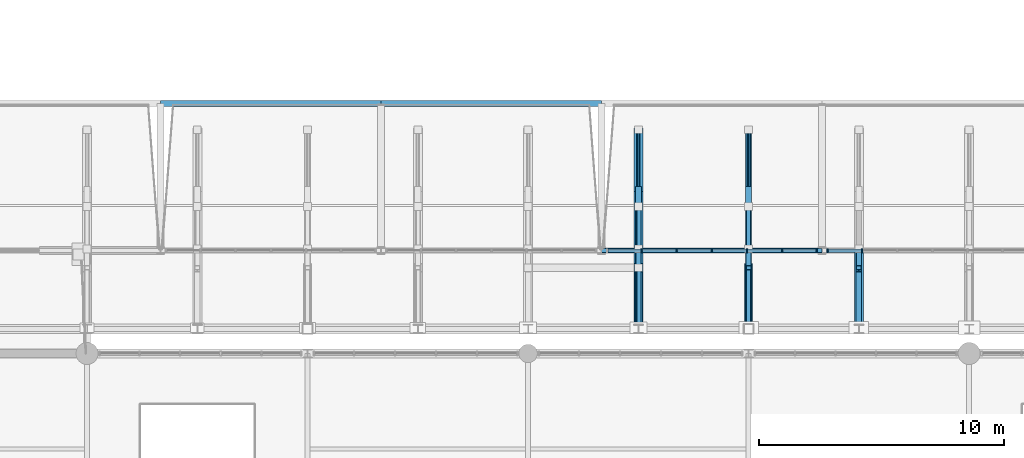
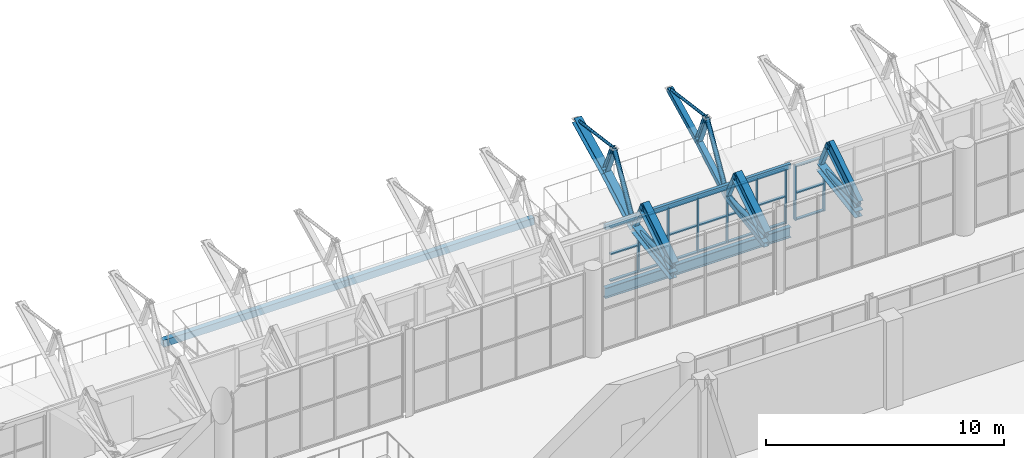
# One storey, part 63 of 134: 48 members, 7 beams, 2 elements without a shape of their own.
"""IFC4 building model written with IfcOpenShell, lengths in metres."""

from ifc_helpers import new_model, si_unit, direction, frame, origin, origin_2d, place, context, subcontext, project, spatial, rectangle, hollow_rectangle, hollow_circle, i_section, extrude, material, layer, layer_set, material_profile, profile_set, type_object, element, aggregate, save


model = new_model("IFC4")

# Units and contexts
model_context = context("Model", 3, precision=1e-05, world=origin(), true_north=direction((0.0, 1.0)))
body_context = subcontext(model_context, "Body", "Model", "MODEL_VIEW")
ifc_project = project(units=[si_unit("LENGTHUNIT", "METRE"), si_unit("AREAUNIT", "SQUARE_METRE"), si_unit("VOLUMEUNIT", "CUBIC_METRE"), si_unit("PLANEANGLEUNIT", "RADIAN"), si_unit("MASSUNIT", "GRAM", prefix="KILO")], contexts=[model_context])

# Site, building, storey
site_placement = place(None, origin())
site = spatial("IfcSite", under=ifc_project, at=site_placement, CompositionType="ELEMENT")
building_placement = place(site_placement, origin())
building = spatial("IfcBuilding", under=site, at=building_placement, Name="Cazmaro Siding Exhibition Halls", CompositionType="ELEMENT")
storey_placement = place(building_placement, frame((0.0, 0.0, 12.0)))
storey = spatial("IfcBuildingStorey", under=building, at=storey_placement, Name="L02", CompositionType="ELEMENT", Elevation=12.0)

# Beams
ifc_material_1 = material(Name="Steel ASTM A992 Grade 50", Category="steel")
ifc_material_profile_1 = material_profile(ifc_material_1, i_section(OverallWidth=0.327880859375, OverallDepth=0.626953125, WebThickness=0.01708984375, FlangeThickness=0.028076171875, at=origin_2d()), Name="W24X146")
ifc_profile_set_1 = profile_set([ifc_material_profile_1], Name="Steel ASTM A992 Grade 50")
beam_type_1 = type_object("IfcBeamType", Name="AR-01", PredefinedType="USERDEFINED", material=ifc_profile_set_1)
beam_1_placement = place(storey_placement, frame((112.5, 64.0, 2.300048828125), z_axis=(0.0, 0.843339173298, 0.537381650954), x_axis=(-1.0, 0.0, 0.0)))
element("IfcBeam", 1, at=beam_1_placement, inside=storey, type_object=beam_type_1, Name="Space frame barrel vault arched rib AR-01 BM-0895", ObjectType="ARCHED RIB", PredefinedType="USERDEFINED", context=body_context, shape_type="SweptSolid", body=[
    extrude(i_section(OverallWidth=0.327880859375, OverallDepth=0.626953125, WebThickness=0.01708984375, FlangeThickness=0.028076171875, at=origin_2d()), origin(), (0.0, 0.0, 1.0), 2.96435546875),
])
ifc_material_2 = material(Name="Steel ASTM A992 Grade 50", Category="steel")
ifc_material_profile_2 = material_profile(ifc_material_2, i_section(OverallWidth=0.324951171875, OverallDepth=0.612060546875, WebThickness=0.012939453125, FlangeThickness=0.01904296875, at=origin_2d()), Name="W24X104")
ifc_profile_set_2 = profile_set([ifc_material_profile_2], Name="Steel ASTM A992 Grade 50")
beam_type_2 = type_object("IfcBeamType", Name="AR-02", PredefinedType="USERDEFINED", material=ifc_profile_set_2)
beam_2_placement = place(storey_placement, frame((117.0, 64.0, 2.300048828125), z_axis=(0.0, 0.843339173298, 0.537381650954), x_axis=(-1.0, 0.0, 0.0)))
element("IfcBeam", 2, at=beam_2_placement, inside=storey, type_object=beam_type_2, Name="Space frame barrel vault arched rib AR-02 BM-0919", ObjectType="ARCHED RIB", PredefinedType="USERDEFINED", context=body_context, shape_type="SweptSolid", body=[
    extrude(i_section(OverallWidth=0.324951171875, OverallDepth=0.612060546875, WebThickness=0.012939453125, FlangeThickness=0.01904296875, at=origin_2d()), origin(), (0.0, 0.0, 1.0), 2.96435546875),
])
ifc_material_3 = material(Name="Steel ASTM A992 Grade 50", Category="steel")
ifc_material_profile_3 = material_profile(ifc_material_3, i_section(OverallWidth=0.22900390625, OverallDepth=0.612060546875, WebThickness=0.011962890625, FlangeThickness=0.02001953125, at=origin_2d()), Name="W24X84")
ifc_profile_set_3 = profile_set([ifc_material_profile_3], Name="Steel ASTM A992 Grade 50")
beam_type_3 = type_object("IfcBeamType", Name="AR-03", PredefinedType="USERDEFINED", material=ifc_profile_set_3)
beam_3_placement = place(storey_placement, frame((121.5, 64.0, 2.300048828125), z_axis=(0.0, 0.843339173298, 0.537381650954), x_axis=(-1.0, 0.0, 0.0)))
element("IfcBeam", 3, at=beam_3_placement, inside=storey, type_object=beam_type_3, Name="Space frame barrel vault arched rib AR-03 BM-0943", ObjectType="ARCHED RIB", PredefinedType="USERDEFINED", context=body_context, shape_type="SweptSolid", body=[
    extrude(i_section(OverallWidth=0.22900390625, OverallDepth=0.612060546875, WebThickness=0.011962890625, FlangeThickness=0.02001953125, at=origin_2d()), origin(), (0.0, 0.0, 1.0), 2.96435546875),
])
ifc_material_4 = material(Name="Steel ASTM A992 Grade 50", Category="steel")
ifc_material_profile_4 = material_profile(ifc_material_4, i_section(OverallWidth=0.2099609375, OverallDepth=0.535888671875, WebThickness=0.010986328125, FlangeThickness=0.01708984375, at=origin_2d()), Name="W21X68")
ifc_profile_set_4 = profile_set([ifc_material_profile_4], Name="Steel ASTM A992 Grade 50")
beam_type_4 = type_object("IfcBeamType", Name="B-02", PredefinedType="BEAM", material=ifc_profile_set_4)
beam_4_placement = place(storey_placement, frame((111.0, 67.199951171875, -0.488037109375), z_axis=(1.0, 0.0, 0.0), x_axis=(0.0, 1.0, 0.0)))
element("IfcBeam", 4, at=beam_4_placement, inside=storey, type_object=beam_type_4, Name="Beam B-02 BM-0463", PredefinedType="BEAM", context=body_context, shape_type="SweptSolid", body=[
    extrude(i_section(OverallWidth=0.2099609375, OverallDepth=0.535888671875, WebThickness=0.010986328125, FlangeThickness=0.01708984375, at=origin_2d()), origin(), (0.0, 0.0, 1.0), 9.0),
])
ifc_material_5 = material(Name="Steel ASTM A500 Grade C", Category="steel")
ifc_material_profile_5 = material_profile(ifc_material_5, hollow_rectangle(XDim=0.25390625, YDim=0.35595703125, WallThickness=0.014892578125, at=origin_2d()), Name="HSS14X10X5/8")
ifc_profile_set_5 = profile_set([ifc_material_profile_5], Name="Steel ASTM A500 Grade C")
beam_type_5 = type_object("IfcBeamType", Name="B-06", PredefinedType="BEAM", material=ifc_profile_set_5)
for number, where, z_axis, x_axis, name in (
    (5, (93.0, 73.199951171875, -0.39794921875), (1.0, 0.0, 0.0), (0.0, 1.0, 0.0), "Beam B-06 BM-0460"),
    (6, (102.0, 73.199951171875, -0.39794921875), (1.0, 0.0, 0.0), (0.0, 1.0, 0.0), "Beam B-06 BM-0462"),
):
    element("IfcBeam", number, at=place(storey_placement, frame(where, z_axis=z_axis, x_axis=x_axis)), inside=storey, type_object=beam_type_5, Name=name, PredefinedType="BEAM", context=body_context, shape_type="SweptSolid", body=[
        extrude(hollow_rectangle(XDim=0.25390625, YDim=0.35595703125, WallThickness=0.014892578125, at=origin_2d()), origin(), (0.0, 0.0, 1.0), 9.0),
    ])

# Curtain wall, members
ifc_material_6 = material(Name="Anodized Bronze Aluminum and Solar-Control Low-E Glazing", Category="aluminium")
ifc_layer = layer(ifc_material_6, 0.159912109375)
ifc_layer_set = layer_set([ifc_layer], Name="Anodized Bronze Aluminum and Solar-Control Low-E Glazing")
curtain_wall_type = type_object("IfcCurtainWallType", Name="CWS-04", PredefinedType="USERDEFINED", material=ifc_layer_set)
curtain_wall_1_placement = place(storey_placement, origin())
curtain_wall_1 = element("IfcCurtainWall", 7, at=curtain_wall_1_placement, inside=storey, type_object=curtain_wall_type, Name="Clerestory Curtain Wall CWS-04 CW-029", ObjectType="CLERESTORY CURTAIN WALL", PredefinedType="USERDEFINED")
ifc_material_7 = material(Name="Anodized Bronze Extruded Aluminum", Category="aluminium")
ifc_material_profile_6 = material_profile(ifc_material_7, rectangle(XDim=0.159912109375, YDim=0.06005859375, at=origin_2d()), Name="CWM-04")
ifc_profile_set_6 = profile_set([ifc_material_profile_6], Name="Anodized Bronze Extruded Aluminum")
member_type_1 = type_object("IfcMemberType", Name="CWM-04", PredefinedType="MULLION", material=ifc_profile_set_6)
member_1_placement = place(storey_placement, frame((112.63134765625, 67.199951171875, 0.0), z_axis=(0.0, 0.0, 1.0), x_axis=(0.0, 1.0, 0.0)))
member_1 = element("IfcMember", 8, at=member_1_placement, type_object=member_type_1, Name="CWS-04 mullion 2", PredefinedType="MULLION", context=body_context, shape_type="SweptSolid", body=[
    extrude(rectangle(XDim=0.159912109375, YDim=0.06005859375, at=origin_2d()), origin(), (0.0, 0.0, 1.0), 2.800048828125),
])
member_2_placement = place(storey_placement, frame((114.065673828125, 67.199951171875, 0.0), z_axis=(0.0, 0.0, 1.0), x_axis=(0.0, 1.0, 0.0)))
member_2 = element("IfcMember", 9, at=member_2_placement, type_object=member_type_1, Name="CWS-04 mullion 3", PredefinedType="MULLION", context=body_context, shape_type="SweptSolid", body=[
    extrude(rectangle(XDim=0.159912109375, YDim=0.06005859375, at=origin_2d()), origin(), (0.0, 0.0, 1.0), 2.800048828125),
])
member_3_placement = place(storey_placement, frame((115.5, 67.199951171875, 0.0), z_axis=(0.0, 0.0, 1.0), x_axis=(0.0, 1.0, 0.0)))
member_3 = element("IfcMember", 10, at=member_3_placement, type_object=member_type_1, Name="CWS-04 mullion 4", PredefinedType="MULLION", context=body_context, shape_type="SweptSolid", body=[
    extrude(rectangle(XDim=0.159912109375, YDim=0.06005859375, at=origin_2d()), origin(), (0.0, 0.0, 1.0), 2.800048828125),
])
member_4_placement = place(storey_placement, frame((116.934326171875, 67.199951171875, 0.0), z_axis=(0.0, 0.0, 1.0), x_axis=(0.0, 1.0, 0.0)))
member_4 = element("IfcMember", 11, at=member_4_placement, type_object=member_type_1, Name="CWS-04 mullion 5", PredefinedType="MULLION", context=body_context, shape_type="SweptSolid", body=[
    extrude(rectangle(XDim=0.159912109375, YDim=0.06005859375, at=origin_2d()), origin(), (0.0, 0.0, 1.0), 2.800048828125),
])
member_5_placement = place(storey_placement, frame((118.36865234375, 67.199951171875, 0.0), z_axis=(0.0, 0.0, 1.0), x_axis=(0.0, 1.0, 0.0)))
member_5 = element("IfcMember", 12, at=member_5_placement, type_object=member_type_1, Name="CWS-04 mullion 6", PredefinedType="MULLION", context=body_context, shape_type="SweptSolid", body=[
    extrude(rectangle(XDim=0.159912109375, YDim=0.06005859375, at=origin_2d()), origin(), (0.0, 0.0, 1.0), 2.800048828125),
])
member_6_placement = place(storey_placement, frame((119.77294921875, 67.199951171875, 0.0), z_axis=(0.0, 0.0, 1.0), x_axis=(0.0, 1.0, 0.0)))
member_6 = element("IfcMember", 13, at=member_6_placement, type_object=member_type_1, Name="CWS-04 mullion 7", PredefinedType="MULLION", context=body_context, shape_type="SweptSolid", body=[
    extrude(rectangle(XDim=0.159912109375, YDim=0.06005859375, at=origin_2d()), origin(), (0.0, 0.0, 1.0), 2.800048828125),
])

curtain_wall_2_placement = place(storey_placement, origin())
curtain_wall_2 = element("IfcCurtainWall", 14, at=curtain_wall_2_placement, inside=storey, type_object=curtain_wall_type, Name="Clerestory Curtain Wall CWS-04 CW-032", ObjectType="CLERESTORY CURTAIN WALL", PredefinedType="USERDEFINED")
member_7_placement = place(storey_placement, frame((120.22705078125, 67.199951171875, 0.0), z_axis=(0.0, 0.0, 1.0), x_axis=(0.0, 1.0, 0.0)))
member_7 = element("IfcMember", 15, at=member_7_placement, type_object=member_type_1, Name="CWS-04 mullion 1", PredefinedType="MULLION", context=body_context, shape_type="SweptSolid", body=[
    extrude(rectangle(XDim=0.159912109375, YDim=0.06005859375, at=origin_2d()), origin(), (0.0, 0.0, 1.0), 2.800048828125),
])
member_8_placement = place(storey_placement, frame((121.63134765625, 67.199951171875, 0.0), z_axis=(0.0, 0.0, 1.0), x_axis=(0.0, 1.0, 0.0)))
member_8 = element("IfcMember", 16, at=member_8_placement, type_object=member_type_1, Name="CWS-04 mullion 2", PredefinedType="MULLION", context=body_context, shape_type="SweptSolid", body=[
    extrude(rectangle(XDim=0.159912109375, YDim=0.06005859375, at=origin_2d()), origin(), (0.0, 0.0, 1.0), 2.800048828125),
])

# Member
ifc_material_8 = material(Name="Anodized Bronze Extruded Aluminum", Category="aluminium")
ifc_material_profile_7 = material_profile(ifc_material_8, rectangle(XDim=0.139892578125, YDim=0.06005859375, at=origin_2d()), Name="CWT-04")
ifc_profile_set_7 = profile_set([ifc_material_profile_7], Name="Anodized Bronze Extruded Aluminum")
member_type_2 = type_object("IfcMemberType", Name="CWT-04", PredefinedType="MULLION", material=ifc_profile_set_7)
member_9_placement = place(storey_placement, frame((111.257080078125, 67.199951171875, 0.030029296875), z_axis=(1.0, 0.0, 0.0), x_axis=(0.0, 1.0, 0.0)))
member_9 = element("IfcMember", 17, at=member_9_placement, type_object=member_type_2, Name="CWS-04 transom 1.1", ObjectType="TRANSOM", PredefinedType="USERDEFINED", context=body_context, shape_type="SweptSolid", body=[
    extrude(rectangle(XDim=0.139892578125, YDim=0.06005859375, at=origin_2d()), origin(), (0.0, 0.0, 1.0), 1.34423828125),
])

member_10_placement = place(storey_placement, frame((111.257080078125, 67.199951171875, 1.39990234375), z_axis=(1.0, 0.0, 0.0), x_axis=(0.0, 1.0, 0.0)))
member_10 = element("IfcMember", 18, at=member_10_placement, type_object=member_type_2, Name="CWS-04 transom 1.2", ObjectType="TRANSOM", PredefinedType="USERDEFINED", context=body_context, shape_type="SweptSolid", body=[
    extrude(rectangle(XDim=0.139892578125, YDim=0.06005859375, at=origin_2d()), origin(), (0.0, 0.0, 1.0), 1.34423828125),
])

member_11_placement = place(storey_placement, frame((111.257080078125, 67.199951171875, 2.77001953125), z_axis=(1.0, 0.0, 0.0), x_axis=(0.0, 1.0, 0.0)))
member_11 = element("IfcMember", 19, at=member_11_placement, type_object=member_type_2, Name="CWS-04 transom 1.3", ObjectType="TRANSOM", PredefinedType="USERDEFINED", context=body_context, shape_type="SweptSolid", body=[
    extrude(rectangle(XDim=0.139892578125, YDim=0.06005859375, at=origin_2d()), origin(), (0.0, 0.0, 1.0), 1.34423828125),
])

member_12_placement = place(storey_placement, frame((112.661376953125, 67.199951171875, 0.030029296875), z_axis=(1.0, 0.0, 0.0), x_axis=(0.0, 1.0, 0.0)))
member_12 = element("IfcMember", 20, at=member_12_placement, type_object=member_type_2, Name="CWS-04 transom 2.1", ObjectType="TRANSOM", PredefinedType="USERDEFINED", context=body_context, shape_type="SweptSolid", body=[
    extrude(rectangle(XDim=0.139892578125, YDim=0.06005859375, at=origin_2d()), origin(), (0.0, 0.0, 1.0), 1.374267578125),
])

member_13_placement = place(storey_placement, frame((112.661376953125, 67.199951171875, 1.39990234375), z_axis=(1.0, 0.0, 0.0), x_axis=(0.0, 1.0, 0.0)))
member_13 = element("IfcMember", 21, at=member_13_placement, type_object=member_type_2, Name="CWS-04 transom 2.2", ObjectType="TRANSOM", PredefinedType="USERDEFINED", context=body_context, shape_type="SweptSolid", body=[
    extrude(rectangle(XDim=0.139892578125, YDim=0.06005859375, at=origin_2d()), origin(), (0.0, 0.0, 1.0), 1.374267578125),
])

member_14_placement = place(storey_placement, frame((112.661376953125, 67.199951171875, 2.77001953125), z_axis=(1.0, 0.0, 0.0), x_axis=(0.0, 1.0, 0.0)))
member_14 = element("IfcMember", 22, at=member_14_placement, type_object=member_type_2, Name="CWS-04 transom 2.3", ObjectType="TRANSOM", PredefinedType="USERDEFINED", context=body_context, shape_type="SweptSolid", body=[
    extrude(rectangle(XDim=0.139892578125, YDim=0.06005859375, at=origin_2d()), origin(), (0.0, 0.0, 1.0), 1.374267578125),
])

member_15_placement = place(storey_placement, frame((114.095703125, 67.199951171875, 0.030029296875), z_axis=(1.0, 0.0, 0.0), x_axis=(0.0, 1.0, 0.0)))
member_15 = element("IfcMember", 23, at=member_15_placement, type_object=member_type_2, Name="CWS-04 transom 3.1", ObjectType="TRANSOM", PredefinedType="USERDEFINED", context=body_context, shape_type="SweptSolid", body=[
    extrude(rectangle(XDim=0.139892578125, YDim=0.06005859375, at=origin_2d()), origin(), (0.0, 0.0, 1.0), 1.374267578125),
])

member_16_placement = place(storey_placement, frame((114.095703125, 67.199951171875, 1.39990234375), z_axis=(1.0, 0.0, 0.0), x_axis=(0.0, 1.0, 0.0)))
member_16 = element("IfcMember", 24, at=member_16_placement, type_object=member_type_2, Name="CWS-04 transom 3.2", ObjectType="TRANSOM", PredefinedType="USERDEFINED", context=body_context, shape_type="SweptSolid", body=[
    extrude(rectangle(XDim=0.139892578125, YDim=0.06005859375, at=origin_2d()), origin(), (0.0, 0.0, 1.0), 1.374267578125),
])

member_17_placement = place(storey_placement, frame((114.095703125, 67.199951171875, 2.77001953125), z_axis=(1.0, 0.0, 0.0), x_axis=(0.0, 1.0, 0.0)))
member_17 = element("IfcMember", 25, at=member_17_placement, type_object=member_type_2, Name="CWS-04 transom 3.3", ObjectType="TRANSOM", PredefinedType="USERDEFINED", context=body_context, shape_type="SweptSolid", body=[
    extrude(rectangle(XDim=0.139892578125, YDim=0.06005859375, at=origin_2d()), origin(), (0.0, 0.0, 1.0), 1.374267578125),
])

member_18_placement = place(storey_placement, frame((115.530029296875, 67.199951171875, 0.030029296875), z_axis=(1.0, 0.0, 0.0), x_axis=(0.0, 1.0, 0.0)))
member_18 = element("IfcMember", 26, at=member_18_placement, type_object=member_type_2, Name="CWS-04 transom 4.1", ObjectType="TRANSOM", PredefinedType="USERDEFINED", context=body_context, shape_type="SweptSolid", body=[
    extrude(rectangle(XDim=0.139892578125, YDim=0.06005859375, at=origin_2d()), origin(), (0.0, 0.0, 1.0), 1.374267578125),
])

member_19_placement = place(storey_placement, frame((115.530029296875, 67.199951171875, 1.39990234375), z_axis=(1.0, 0.0, 0.0), x_axis=(0.0, 1.0, 0.0)))
member_19 = element("IfcMember", 27, at=member_19_placement, type_object=member_type_2, Name="CWS-04 transom 4.2", ObjectType="TRANSOM", PredefinedType="USERDEFINED", context=body_context, shape_type="SweptSolid", body=[
    extrude(rectangle(XDim=0.139892578125, YDim=0.06005859375, at=origin_2d()), origin(), (0.0, 0.0, 1.0), 1.374267578125),
])

member_20_placement = place(storey_placement, frame((115.530029296875, 67.199951171875, 2.77001953125), z_axis=(1.0, 0.0, 0.0), x_axis=(0.0, 1.0, 0.0)))
member_20 = element("IfcMember", 28, at=member_20_placement, type_object=member_type_2, Name="CWS-04 transom 4.3", ObjectType="TRANSOM", PredefinedType="USERDEFINED", context=body_context, shape_type="SweptSolid", body=[
    extrude(rectangle(XDim=0.139892578125, YDim=0.06005859375, at=origin_2d()), origin(), (0.0, 0.0, 1.0), 1.374267578125),
])

member_21_placement = place(storey_placement, frame((116.96435546875, 67.199951171875, 0.030029296875), z_axis=(1.0, 0.0, 0.0), x_axis=(0.0, 1.0, 0.0)))
member_21 = element("IfcMember", 29, at=member_21_placement, type_object=member_type_2, Name="CWS-04 transom 5.1", ObjectType="TRANSOM", PredefinedType="USERDEFINED", context=body_context, shape_type="SweptSolid", body=[
    extrude(rectangle(XDim=0.139892578125, YDim=0.06005859375, at=origin_2d()), origin(), (0.0, 0.0, 1.0), 1.374267578125),
])

member_22_placement = place(storey_placement, frame((116.96435546875, 67.199951171875, 1.39990234375), z_axis=(1.0, 0.0, 0.0), x_axis=(0.0, 1.0, 0.0)))
member_22 = element("IfcMember", 30, at=member_22_placement, type_object=member_type_2, Name="CWS-04 transom 5.2", ObjectType="TRANSOM", PredefinedType="USERDEFINED", context=body_context, shape_type="SweptSolid", body=[
    extrude(rectangle(XDim=0.139892578125, YDim=0.06005859375, at=origin_2d()), origin(), (0.0, 0.0, 1.0), 1.374267578125),
])

member_23_placement = place(storey_placement, frame((116.96435546875, 67.199951171875, 2.77001953125), z_axis=(1.0, 0.0, 0.0), x_axis=(0.0, 1.0, 0.0)))
member_23 = element("IfcMember", 31, at=member_23_placement, type_object=member_type_2, Name="CWS-04 transom 5.3", ObjectType="TRANSOM", PredefinedType="USERDEFINED", context=body_context, shape_type="SweptSolid", body=[
    extrude(rectangle(XDim=0.139892578125, YDim=0.06005859375, at=origin_2d()), origin(), (0.0, 0.0, 1.0), 1.374267578125),
])

member_24_placement = place(storey_placement, frame((118.398681640625, 67.199951171875, 0.030029296875), z_axis=(1.0, 0.0, 0.0), x_axis=(0.0, 1.0, 0.0)))
member_24 = element("IfcMember", 32, at=member_24_placement, type_object=member_type_2, Name="CWS-04 transom 6.1", ObjectType="TRANSOM", PredefinedType="USERDEFINED", context=body_context, shape_type="SweptSolid", body=[
    extrude(rectangle(XDim=0.139892578125, YDim=0.06005859375, at=origin_2d()), origin(), (0.0, 0.0, 1.0), 1.34423828125),
])

member_25_placement = place(storey_placement, frame((118.398681640625, 67.199951171875, 1.39990234375), z_axis=(1.0, 0.0, 0.0), x_axis=(0.0, 1.0, 0.0)))
member_25 = element("IfcMember", 33, at=member_25_placement, type_object=member_type_2, Name="CWS-04 transom 6.2", ObjectType="TRANSOM", PredefinedType="USERDEFINED", context=body_context, shape_type="SweptSolid", body=[
    extrude(rectangle(XDim=0.139892578125, YDim=0.06005859375, at=origin_2d()), origin(), (0.0, 0.0, 1.0), 1.34423828125),
])

member_26_placement = place(storey_placement, frame((118.398681640625, 67.199951171875, 2.77001953125), z_axis=(1.0, 0.0, 0.0), x_axis=(0.0, 1.0, 0.0)))
member_26 = element("IfcMember", 34, at=member_26_placement, type_object=member_type_2, Name="CWS-04 transom 6.3", ObjectType="TRANSOM", PredefinedType="USERDEFINED", context=body_context, shape_type="SweptSolid", body=[
    extrude(rectangle(XDim=0.139892578125, YDim=0.06005859375, at=origin_2d()), origin(), (0.0, 0.0, 1.0), 1.34423828125),
])

aggregate(curtain_wall_1, [member_1, member_2, member_3, member_4, member_5, member_6, member_9, member_10, member_11, member_12, member_13, member_14, member_15, member_16, member_17, member_18, member_19, member_20, member_21, member_22, member_23, member_24, member_25, member_26])

member_27_placement = place(storey_placement, frame((120.257080078125, 67.199951171875, 0.030029296875), z_axis=(1.0, 0.0, 0.0), x_axis=(0.0, 1.0, 0.0)))
member_27 = element("IfcMember", 35, at=member_27_placement, type_object=member_type_2, Name="CWS-04 transom 1.1", ObjectType="TRANSOM", PredefinedType="USERDEFINED", context=body_context, shape_type="SweptSolid", body=[
    extrude(rectangle(XDim=0.139892578125, YDim=0.06005859375, at=origin_2d()), origin(), (0.0, 0.0, 1.0), 1.34423828125),
])

member_28_placement = place(storey_placement, frame((120.257080078125, 67.199951171875, 1.39990234375), z_axis=(1.0, 0.0, 0.0), x_axis=(0.0, 1.0, 0.0)))
member_28 = element("IfcMember", 36, at=member_28_placement, type_object=member_type_2, Name="CWS-04 transom 1.2", ObjectType="TRANSOM", PredefinedType="USERDEFINED", context=body_context, shape_type="SweptSolid", body=[
    extrude(rectangle(XDim=0.139892578125, YDim=0.06005859375, at=origin_2d()), origin(), (0.0, 0.0, 1.0), 1.34423828125),
])

member_29_placement = place(storey_placement, frame((120.257080078125, 67.199951171875, 2.77001953125), z_axis=(1.0, 0.0, 0.0), x_axis=(0.0, 1.0, 0.0)))
member_29 = element("IfcMember", 37, at=member_29_placement, type_object=member_type_2, Name="CWS-04 transom 1.3", ObjectType="TRANSOM", PredefinedType="USERDEFINED", context=body_context, shape_type="SweptSolid", body=[
    extrude(rectangle(XDim=0.139892578125, YDim=0.06005859375, at=origin_2d()), origin(), (0.0, 0.0, 1.0), 1.34423828125),
])

aggregate(curtain_wall_2, [member_7, member_8, member_27, member_28, member_29])

# Beam
ifc_material_9 = material(Name="Steel ASTM A500 Grade C", Category="steel")
ifc_material_profile_8 = material_profile(ifc_material_9, hollow_rectangle(XDim=0.152099609375, YDim=0.25390625, WallThickness=0.011962890625, at=origin_2d()), Name="HSS10X6X1/2")
ifc_profile_set_8 = profile_set([ifc_material_profile_8], Name="Steel ASTM A500 Grade C")
beam_type_6 = type_object("IfcBeamType", Name="SP-02", PredefinedType="SPANDREL", material=ifc_profile_set_8)
beam_5_placement = place(storey_placement, frame((111.0, 67.199951171875, 2.873046875), z_axis=(1.0, 0.0, 0.0), x_axis=(0.0, 1.0, 0.0)))
element("IfcBeam", 38, at=beam_5_placement, inside=storey, type_object=beam_type_6, Name="Beam SP-02 BM-0243", PredefinedType="SPANDREL", context=body_context, shape_type="SweptSolid", body=[
    extrude(hollow_rectangle(XDim=0.152099609375, YDim=0.25390625, WallThickness=0.011962890625, at=origin_2d()), origin(), (0.0, 0.0, 1.0), 9.0),
])

# Members
ifc_material_10 = material(Name="Steel ASTM A500 Grade C", Category="steel")
ifc_material_profile_9 = material_profile(ifc_material_10, hollow_rectangle(XDim=0.25390625, YDim=0.25390625, WallThickness=0.014892578125, at=origin_2d()), Name="HSS10X10X5/8")
ifc_profile_set_9 = profile_set([ifc_material_profile_9], Name="Steel ASTM A500 Grade C")
member_type_3 = type_object("IfcMemberType", Name="TC-01", PredefinedType="CHORD", material=ifc_profile_set_9)
member_30_placement = place(storey_placement, frame((117.0, 64.0, 1.800048828125), z_axis=(0.0, 0.988252010809, 0.152833121839), x_axis=(-1.0, 0.0, 0.0)))
element("IfcMember", 39, at=member_30_placement, inside=storey, type_object=member_type_3, Name="Space frame barrel vault bottom chord TC-01 MEM-1089", PredefinedType="CHORD", context=body_context, shape_type="SweptSolid", body=[
    extrude(hollow_rectangle(XDim=0.25390625, YDim=0.25390625, WallThickness=0.014892578125, at=origin_2d()), origin(), (0.0, 0.0, 1.0), 3.309814453125),
])
member_31_placement = place(storey_placement, frame((117.0, 67.27099609375, 2.305908203125), z_axis=(0.0, 0.871222319466, 0.490888653428), x_axis=(-1.0, 0.0, 0.0)))
element("IfcMember", 40, at=member_31_placement, inside=storey, type_object=member_type_3, Name="Space frame barrel vault bottom chord TC-01 MEM-1091", PredefinedType="CHORD", context=body_context, shape_type="SweptSolid", body=[
    extrude(hollow_rectangle(XDim=0.25390625, YDim=0.25390625, WallThickness=0.014892578125, at=origin_2d()), origin(), (0.0, 0.0, 1.0), 2.7890625),
])
member_32_placement = place(storey_placement, frame((117.0, 69.700927734375, 3.675048828125), z_axis=(0.0, 0.896077457924, 0.443897724033), x_axis=(-1.0, 0.0, 0.0)))
element("IfcMember", 41, at=member_32_placement, inside=storey, type_object=member_type_3, Name="Space frame barrel vault bottom chord TC-01 MEM-1093", PredefinedType="CHORD", context=body_context, shape_type="SweptSolid", body=[
    extrude(hollow_rectangle(XDim=0.25390625, YDim=0.25390625, WallThickness=0.014892578125, at=origin_2d()), origin(), (0.0, 0.0, 1.0), 2.7119140625),
])
ifc_material_11 = material(Name="Steel ASTM A992 Grade 50", Category="steel")
ifc_material_profile_10 = material_profile(ifc_material_11, i_section(OverallWidth=0.37109375, OverallDepth=0.364013671875, WebThickness=0.012939453125, FlangeThickness=0.02197265625, at=origin_2d()), Name="W14X109")
ifc_profile_set_10 = profile_set([ifc_material_profile_10], Name="Steel ASTM A992 Grade 50")
member_type_4 = type_object("IfcMemberType", Name="TC-06", PredefinedType="CHORD", material=ifc_profile_set_10)
member_33_placement = place(storey_placement, frame((112.5, 64.0, 1.800048828125), z_axis=(0.0, 0.988252010809, 0.152833121839), x_axis=(-1.0, 0.0, 0.0)))
element("IfcMember", 42, at=member_33_placement, inside=storey, type_object=member_type_4, Name="Space frame barrel vault bottom chord TC-06 MEM-1018", PredefinedType="CHORD", context=body_context, shape_type="SweptSolid", body=[
    extrude(i_section(OverallWidth=0.37109375, OverallDepth=0.364013671875, WebThickness=0.012939453125, FlangeThickness=0.02197265625, at=origin_2d()), origin(), (0.0, 0.0, 1.0), 3.309814453125),
])
member_34_placement = place(storey_placement, frame((112.5, 67.27099609375, 2.305908203125), z_axis=(0.0, 0.871222319466, 0.490888653428), x_axis=(-1.0, 0.0, 0.0)))
element("IfcMember", 43, at=member_34_placement, inside=storey, type_object=member_type_4, Name="Space frame barrel vault bottom chord TC-06 MEM-1020", PredefinedType="CHORD", context=body_context, shape_type="SweptSolid", body=[
    extrude(i_section(OverallWidth=0.37109375, OverallDepth=0.364013671875, WebThickness=0.012939453125, FlangeThickness=0.02197265625, at=origin_2d()), origin(), (0.0, 0.0, 1.0), 2.7890625),
])
member_35_placement = place(storey_placement, frame((112.5, 69.700927734375, 3.675048828125), z_axis=(0.0, 0.896077457924, 0.443897724033), x_axis=(-1.0, 0.0, 0.0)))
element("IfcMember", 44, at=member_35_placement, inside=storey, type_object=member_type_4, Name="Space frame barrel vault bottom chord TC-06 MEM-1022", PredefinedType="CHORD", context=body_context, shape_type="SweptSolid", body=[
    extrude(i_section(OverallWidth=0.37109375, OverallDepth=0.364013671875, WebThickness=0.012939453125, FlangeThickness=0.02197265625, at=origin_2d()), origin(), (0.0, 0.0, 1.0), 2.7119140625),
])
member_36_placement = place(storey_placement, frame((121.5, 64.0, 1.800048828125), z_axis=(0.0, 0.988252010809, 0.152833121839), x_axis=(-1.0, 0.0, 0.0)))
element("IfcMember", 45, at=member_36_placement, inside=storey, type_object=member_type_4, Name="Space frame barrel vault bottom chord TC-06 MEM-1160", PredefinedType="CHORD", context=body_context, shape_type="SweptSolid", body=[
    extrude(i_section(OverallWidth=0.37109375, OverallDepth=0.364013671875, WebThickness=0.012939453125, FlangeThickness=0.02197265625, at=origin_2d()), origin(), (0.0, 0.0, 1.0), 3.309814453125),
])
ifc_material_12 = material(Name="Steel ASTM A500 Grade C", Category="steel")
ifc_material_profile_11 = material_profile(ifc_material_12, hollow_rectangle(XDim=0.202880859375, YDim=0.202880859375, WallThickness=0.011962890625, at=origin_2d()), Name="HSS8X8X1/2")
ifc_profile_set_11 = profile_set([ifc_material_profile_11], Name="Steel ASTM A500 Grade C")
member_type_5 = type_object("IfcMemberType", Name="TP-01", PredefinedType="POST", material=ifc_profile_set_11)
for number, where, z_axis, x_axis, name in (
    (46, (112.5, 67.27099609375, 2.305908203125), (0.0, -0.436945543824, 0.89948796086), (1.0, 0.0, 0.0), "Space frame barrel vault post TP-01 MEM-1066"),
    (47, (117.0, 67.27099609375, 2.305908203125), (0.0, -0.436945543824, 0.89948796086), (1.0, 0.0, 0.0), "Space frame barrel vault post TP-01 MEM-1137"),
    (48, (121.5, 67.27099609375, 2.305908203125), (0.0, -0.436945543824, 0.89948796086), (1.0, 0.0, 0.0), "Space frame barrel vault post TP-01 MEM-1208"),
):
    element("IfcMember", number, at=place(storey_placement, frame(where, z_axis=z_axis, x_axis=x_axis)), inside=storey, type_object=member_type_5, Name=name, PredefinedType="POST", context=body_context, shape_type="SweptSolid", body=[
        extrude(hollow_rectangle(XDim=0.202880859375, YDim=0.202880859375, WallThickness=0.011962890625, at=origin_2d()), origin(), (0.0, 0.0, 1.0), 1.764404296875),
    ])
ifc_material_13 = material(Name="Steel ASTM A992 Grade 50", Category="steel")
ifc_material_profile_12 = material_profile(ifc_material_13, i_section(OverallWidth=0.25390625, OverallDepth=0.25390625, WebThickness=0.009033203125, FlangeThickness=0.013916015625, at=origin_2d()), Name="W10X49")
ifc_profile_set_12 = profile_set([ifc_material_profile_12], Name="Steel ASTM A992 Grade 50")
member_type_6 = type_object("IfcMemberType", Name="TP-04", PredefinedType="POST", material=ifc_profile_set_12)
for number, where, z_axis, x_axis, name in (
    (49, (112.5, 69.700927734375, 3.675048828125), (0.0, -0.395865434272, 0.918308530913), (1.0, 0.0, 0.0), "Space frame barrel vault post TP-04 MEM-1067"),
    (50, (117.0, 69.700927734375, 3.675048828125), (0.0, -0.395865434272, 0.918308530913), (1.0, 0.0, 0.0), "Space frame barrel vault post TP-04 MEM-1138"),
):
    element("IfcMember", number, at=place(storey_placement, frame(where, z_axis=z_axis, x_axis=x_axis)), inside=storey, type_object=member_type_6, Name=name, PredefinedType="POST", context=body_context, shape_type="SweptSolid", body=[
        extrude(i_section(OverallWidth=0.25390625, OverallDepth=0.25390625, WebThickness=0.009033203125, FlangeThickness=0.013916015625, at=origin_2d()), origin(), (0.0, 0.0, 1.0), 1.7705078125),
    ])
ifc_material_14 = material(Name="Steel ASTM A500 Grade C", Category="steel")
ifc_material_profile_13 = material_profile(ifc_material_14, hollow_circle(Radius=0.109619140625, WallThickness=0.012939453125, at=origin_2d()), Name="PIPE8XS")
ifc_profile_set_13 = profile_set([ifc_material_profile_13], Name="Steel ASTM A500 Grade C")
member_type_7 = type_object("IfcMemberType", Name="WB-01", PredefinedType="BRACE", material=ifc_profile_set_13)
member_37_placement = place(storey_placement, frame((112.5, 64.0, 2.300048828125), z_axis=(0.0, 0.999998395604, 0.001791309262), x_axis=(-1.0, 0.0, 0.0)))
element("IfcMember", 51, at=member_37_placement, inside=storey, type_object=member_type_7, Name="Space frame barrel vault diagonal WB-01 MEM-1019", PredefinedType="BRACE", context=body_context, shape_type="SweptSolid", body=[
    extrude(hollow_circle(Radius=0.109619140625, WallThickness=0.012939453125, at=origin_2d()), origin(), (0.0, 0.0, 1.0), 3.27099609375),
])
member_38_placement = place(storey_placement, frame((112.5, 67.27099609375, 2.305908203125), z_axis=(0.0, 0.499950595228, 0.866053925764), x_axis=(-1.0, 0.0, 0.0)))
element("IfcMember", 52, at=member_38_placement, inside=storey, type_object=member_type_7, Name="Space frame barrel vault diagonal WB-01 MEM-1021", PredefinedType="BRACE", context=body_context, shape_type="SweptSolid", body=[
    extrude(hollow_circle(Radius=0.109619140625, WallThickness=0.012939453125, at=origin_2d()), origin(), (0.0, 0.0, 1.0), 3.458251953125),
])
member_39_placement = place(storey_placement, frame((117.0, 64.0, 2.300048828125), z_axis=(0.0, 0.999998395604, 0.001791309262), x_axis=(-1.0, 0.0, 0.0)))
element("IfcMember", 53, at=member_39_placement, inside=storey, type_object=member_type_7, Name="Space frame barrel vault diagonal WB-01 MEM-1090", PredefinedType="BRACE", context=body_context, shape_type="SweptSolid", body=[
    extrude(hollow_circle(Radius=0.109619140625, WallThickness=0.012939453125, at=origin_2d()), origin(), (0.0, 0.0, 1.0), 3.27099609375),
])
member_40_placement = place(storey_placement, frame((117.0, 67.27099609375, 2.305908203125), z_axis=(0.0, 0.499950595228, 0.866053925764), x_axis=(-1.0, 0.0, 0.0)))
element("IfcMember", 54, at=member_40_placement, inside=storey, type_object=member_type_7, Name="Space frame barrel vault diagonal WB-01 MEM-1092", PredefinedType="BRACE", context=body_context, shape_type="SweptSolid", body=[
    extrude(hollow_circle(Radius=0.109619140625, WallThickness=0.012939453125, at=origin_2d()), origin(), (0.0, 0.0, 1.0), 3.458251953125),
])
member_41_placement = place(storey_placement, frame((121.5, 64.0, 2.300048828125), z_axis=(0.0, 0.999998395604, 0.001791309262), x_axis=(-1.0, 0.0, 0.0)))
element("IfcMember", 55, at=member_41_placement, inside=storey, type_object=member_type_7, Name="Space frame barrel vault diagonal WB-01 MEM-1161", PredefinedType="BRACE", context=body_context, shape_type="SweptSolid", body=[
    extrude(hollow_circle(Radius=0.109619140625, WallThickness=0.012939453125, at=origin_2d()), origin(), (0.0, 0.0, 1.0), 3.27099609375),
])
ifc_material_15 = material(Name="Steel ASTM A500 Grade C", Category="steel")
ifc_material_profile_14 = material_profile(ifc_material_15, hollow_circle(Radius=0.070556640625, WallThickness=0.01904296875, at=origin_2d()), Name="PIPE5XXS")
ifc_profile_set_14 = profile_set([ifc_material_profile_14], Name="Steel ASTM A500 Grade C")
member_type_8 = type_object("IfcMemberType", Name="WB-07", PredefinedType="BRACE", material=ifc_profile_set_14)
for number, where, z_axis, x_axis, name in (
    (56, (112.5, 69.0, 5.301025390625), (0.0, 0.991034510477, -0.133606134005), (-1.0, 0.0, 0.0), "Space frame barrel vault diagonal WB-07 MEM-1023"),
    (57, (117.0, 69.0, 5.301025390625), (0.0, 0.991034510477, -0.133606134005), (-1.0, 0.0, 0.0), "Space frame barrel vault diagonal WB-07 MEM-1094"),
):
    element("IfcMember", number, at=place(storey_placement, frame(where, z_axis=z_axis, x_axis=x_axis)), inside=storey, type_object=member_type_8, Name=name, PredefinedType="BRACE", context=body_context, shape_type="SweptSolid", body=[
        extrude(hollow_circle(Radius=0.070556640625, WallThickness=0.01904296875, at=origin_2d()), origin(), (0.0, 0.0, 1.0), 3.159423828125),
    ])

save(model, "model.ifc")
